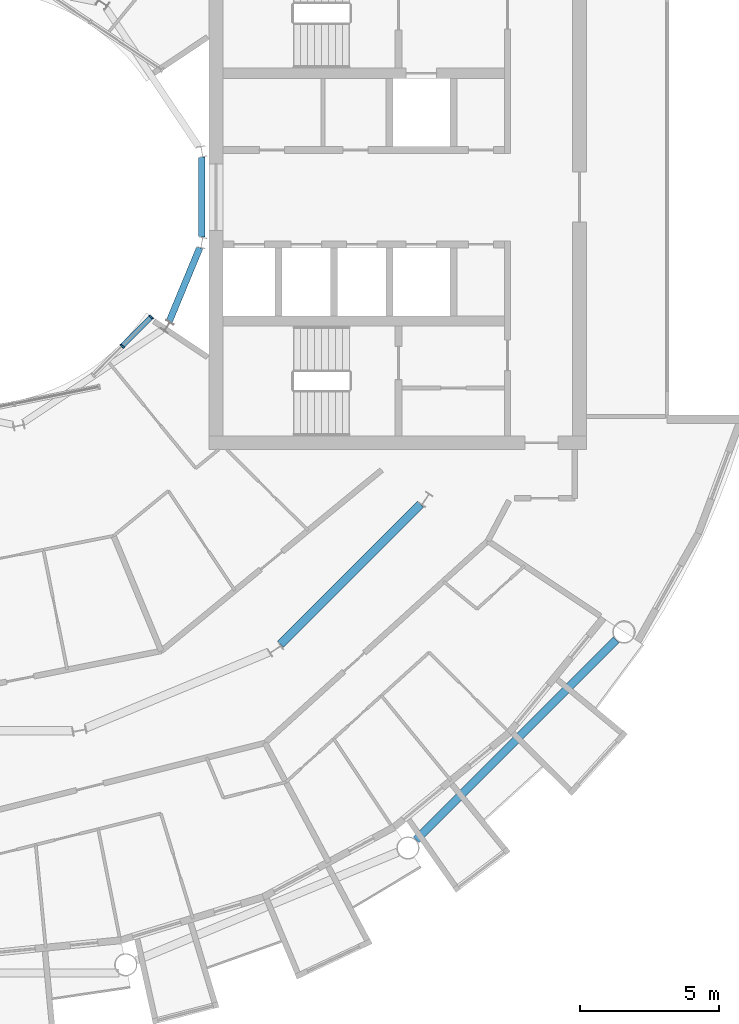
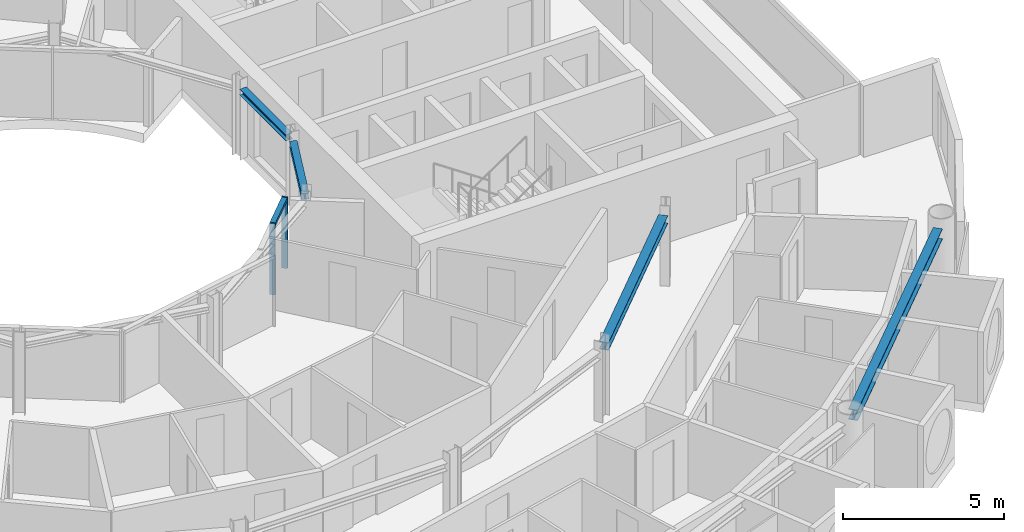
# One storey, part 7 of 27: 4 beams, 3 members, 1 element without a shape of its own.
"""IFC4 building model written with IfcOpenShell, lengths in metres."""

from ifc_helpers import new_model, si_unit, direction, frame, origin, origin_2d, place, context, subcontext, project, spatial, rectangle, i_section, extrude, material, layer, layer_set, material_profile, profile_set, type_object, element, aggregate, save


model = new_model("IFC4")

# Units and contexts
model_context = context("Model", 3, precision=1e-05, world=origin(), true_north=direction((0.0, 1.0)))
body_context = subcontext(model_context, "Body", "Model", "MODEL_VIEW")
ifc_project = project(units=[si_unit("LENGTHUNIT", "METRE"), si_unit("AREAUNIT", "SQUARE_METRE"), si_unit("VOLUMEUNIT", "CUBIC_METRE"), si_unit("PLANEANGLEUNIT", "RADIAN"), si_unit("MASSUNIT", "GRAM", prefix="KILO")], contexts=[model_context])

# Site, building, storey
site_placement = place(None, origin())
site = spatial("IfcSite", under=ifc_project, at=site_placement, CompositionType="ELEMENT")
building_placement = place(site_placement, origin())
building = spatial("IfcBuilding", under=site, at=building_placement, Name="Maasbend Ring Residences", CompositionType="ELEMENT")
storey_placement = place(building_placement, frame((0.0, 0.0, 164.64990234375)))
storey = spatial("IfcBuildingStorey", under=building, at=storey_placement, Name="L47", CompositionType="ELEMENT", Elevation=164.64990234375)

# Curtain wall, members
ifc_material_1 = material(Name="Aluminium and clear glass", Category="aluminium")
ifc_layer = layer(ifc_material_1, 0.179931640625)
ifc_layer_set = layer_set([ifc_layer], Name="CW-W")
curtain_wall_type = type_object("IfcCurtainWallType", Name="CW-W", PredefinedType="NOTDEFINED", material=ifc_layer_set)
curtain_wall_placement = place(storey_placement, origin())
curtain_wall = element("IfcCurtainWall", 1, at=curtain_wall_placement, inside=storey, type_object=curtain_wall_type, Name="Well curtain wall S3", PredefinedType="NOTDEFINED")
ifc_material_2 = material(Name="Aluminium 6063-T6", Category="aluminium")
ifc_material_profile_1 = material_profile(ifc_material_2, rectangle(XDim=0.179931640625, YDim=0.06005859375, at=origin_2d()), Name="AL 180x60")
ifc_profile_set_1 = profile_set([ifc_material_profile_1], Name="Aluminium 6063-T6")
member_type_1 = type_object("IfcMemberType", Name="CWM-W", PredefinedType="MULLION", material=ifc_profile_set_1)
member_1_placement = place(storey_placement, frame((5.366943359375, -5.366943359375, 0.0), z_axis=(0.0, 0.0, 1.0), x_axis=(-0.707106781187, 0.707106781187, 0.0)))
member_1 = element("IfcMember", 2, at=member_1_placement, type_object=member_type_1, Name="Mullion well face", PredefinedType="MULLION", context=body_context, shape_type="SweptSolid", body=[
    extrude(rectangle(XDim=0.179931640625, YDim=0.06005859375, at=origin_2d()), origin(), (0.0, 0.0, 1.0), 2.7001953125),
])
member_2_placement = place(storey_placement, frame((6.413330078125, -4.320556640625, 0.0), z_axis=(0.0, 0.0, 1.0), x_axis=(-0.707106781187, 0.707106781187, 0.0)))
member_2 = element("IfcMember", 3, at=member_2_placement, type_object=member_type_1, Name="Mullion well face", PredefinedType="MULLION", context=body_context, shape_type="SweptSolid", body=[
    extrude(rectangle(XDim=0.179931640625, YDim=0.06005859375, at=origin_2d()), origin(), (0.0, 0.0, 1.0), 2.7001953125),
])
ifc_material_3 = material(Name="Aluminium 6063-T6", Category="aluminium")
ifc_material_profile_2 = material_profile(ifc_material_3, rectangle(XDim=0.179931640625, YDim=0.1201171875, at=origin_2d()), Name="AL 180x120")
ifc_profile_set_2 = profile_set([ifc_material_profile_2], Name="Aluminium 6063-T6")
member_type_2 = type_object("IfcMemberType", Name="CWT-W", PredefinedType="USERDEFINED", material=ifc_profile_set_2)
member_3_placement = place(storey_placement, frame((5.38818359375, -5.345703125, 2.64013671875), z_axis=(0.707106781187, 0.707106781187, 0.0), x_axis=(-0.707106781187, 0.707106781187, 0.0)))
member_3 = element("IfcMember", 4, at=member_3_placement, type_object=member_type_2, Name="Transom well face", ObjectType="TRANSOM", PredefinedType="USERDEFINED", context=body_context, shape_type="SweptSolid", body=[
    extrude(rectangle(XDim=0.179931640625, YDim=0.1201171875, at=origin_2d()), origin(), (0.0, 0.0, 1.0), 1.419677734375),
])
aggregate(curtain_wall, [member_1, member_2, member_3])

# Beams
ifc_material_4 = material(Name="Steel S355J2", Category="steel")
ifc_material_profile_3 = material_profile(ifc_material_4, i_section(OverallWidth=0.300048828125, OverallDepth=0.2900390625, WebThickness=0.008544921875, FlangeThickness=0.013916015625, FilletRadius=0.027099609375, at=origin_2d()), Name="HEA 300")
ifc_profile_set_3 = profile_set([ifc_material_profile_3], Name="Steel S355J2")
beam_type_1 = type_object("IfcBeamType", Name="Corridor ring beam HEA 300", PredefinedType="BEAM", material=ifc_profile_set_3)
beam_1_placement = place(storey_placement, frame((11.0693359375, -16.11669921875, 2.55517578125), z_axis=(0.707106781187, 0.707106781187, 0.0), x_axis=(-0.707106781187, 0.707106781187, 0.0)))
element("IfcBeam", 5, at=beam_1_placement, inside=storey, type_object=beam_type_1, Name="Corridor ring beam", PredefinedType="BEAM", context=body_context, shape_type="SweptSolid", body=[
    extrude(i_section(OverallWidth=0.300048828125, OverallDepth=0.2900390625, WebThickness=0.008544921875, FlangeThickness=0.013916015625, FilletRadius=0.027099609375, at=origin_2d()), origin(), (0.0, 0.0, 1.0), 7.137939453125),
])
ifc_material_5 = material(Name="Steel S355J2", Category="steel")
ifc_material_profile_4 = material_profile(ifc_material_5, i_section(OverallWidth=0.300048828125, OverallDepth=0.39990234375, WebThickness=0.013427734375, FlangeThickness=0.02392578125, FilletRadius=0.027099609375, at=origin_2d()), Name="HEB 400")
ifc_profile_set_4 = profile_set([ifc_material_profile_4], Name="Steel S355J2")
beam_type_2 = type_object("IfcBeamType", Name="Spandrel ring beam HEB 400", PredefinedType="SPANDREL", material=ifc_profile_set_4)
beam_2_placement = place(storey_placement, frame((15.95458984375, -23.159912109375, 2.5), z_axis=(0.707106781187, 0.707106781187, 0.0), x_axis=(-0.707106781187, 0.707106781187, 0.0)))
element("IfcBeam", 6, at=beam_2_placement, inside=storey, type_object=beam_type_2, Name="Spandrel ring beam", PredefinedType="SPANDREL", context=body_context, shape_type="SweptSolid", body=[
    extrude(i_section(OverallWidth=0.300048828125, OverallDepth=0.39990234375, WebThickness=0.013427734375, FlangeThickness=0.02392578125, FilletRadius=0.027099609375, at=origin_2d()), origin(), (0.0, 0.0, 1.0), 10.18994140625),
])
ifc_material_6 = material(Name="Steel S355J2", Category="steel")
ifc_material_profile_5 = material_profile(ifc_material_6, i_section(OverallWidth=0.239990234375, OverallDepth=0.22998046875, WebThickness=0.007568359375, FlangeThickness=0.011962890625, FilletRadius=0.02099609375, at=origin_2d()), Name="HEA 240")
ifc_profile_set_5 = profile_set([ifc_material_profile_5], Name="Steel S355J2")
beam_type_3 = type_object("IfcBeamType", Name="Well edge beam HEA 240", PredefinedType="BEAM", material=ifc_profile_set_5)
for number, where, z_axis, x_axis, name in (
    (7, (7.060302734375, -4.483154296875, 2.585205078125), (0.382748596828, 0.923852537814, 0.0), (-0.923852537814, 0.382748596828, 0.0), "Well edge beam"),
    (8, (8.238525390625, -1.43994140625, 2.585205078125), (0.0, 1.0, 0.0), (-1.0, 0.0, 0.0), "Well edge beam"),
):
    element("IfcBeam", number, at=place(storey_placement, frame(where, z_axis=z_axis, x_axis=x_axis)), inside=storey, type_object=beam_type_3, Name=name, PredefinedType="BEAM", context=body_context, shape_type="SweptSolid", body=[
        extrude(i_section(OverallWidth=0.239990234375, OverallDepth=0.22998046875, WebThickness=0.007568359375, FlangeThickness=0.011962890625, FilletRadius=0.02099609375, at=origin_2d()), origin(), (0.0, 0.0, 1.0), 2.8798828125),
    ])

save(model, "model.ifc")
